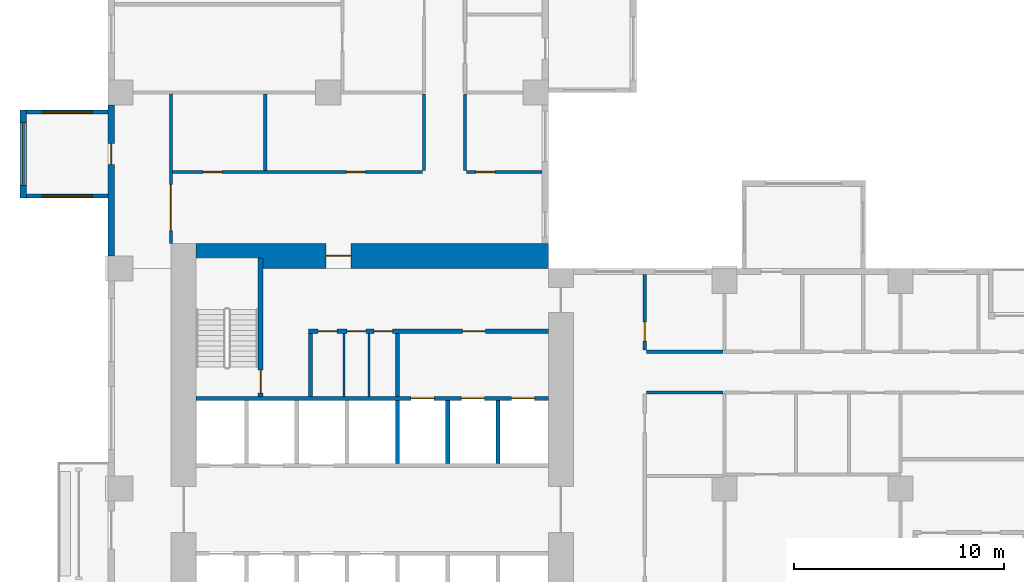
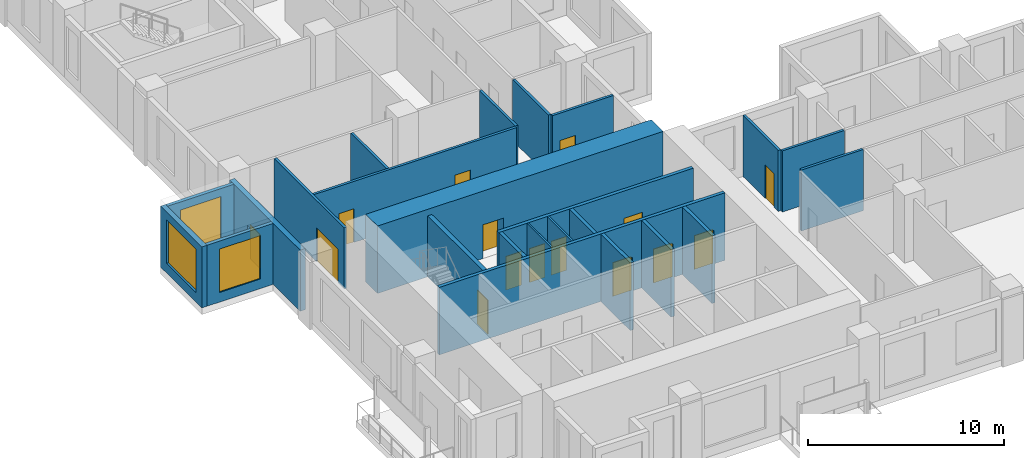
# One storey, part 3 of 14: 24 walls, 15 doors, 3 windows, 18 openings.
"""IFC4 building model written with IfcOpenShell, lengths in metres."""

from ifc_helpers import new_model, si_unit, direction, frame, frame_2d, origin, place, context, subcontext, project, spatial, rectangle, extrude, source, transform, mapped, material, layer, layer_set, type_object, element, fill, save


model = new_model("IFC4")

# Units and contexts
model_context = context("Model", 3, precision=1e-05, world=origin(), true_north=direction((0.0, 1.0)))
body_context = subcontext(model_context, "Body", "Model", "MODEL_VIEW")
ifc_project = project(units=[si_unit("LENGTHUNIT", "METRE"), si_unit("AREAUNIT", "SQUARE_METRE"), si_unit("VOLUMEUNIT", "CUBIC_METRE"), si_unit("PLANEANGLEUNIT", "RADIAN"), si_unit("MASSUNIT", "GRAM", prefix="KILO")], contexts=[model_context])

# Site, building, storey
site_placement = place(None, origin())
site = spatial("IfcSite", under=ifc_project, at=site_placement, CompositionType="ELEMENT")
building_placement = place(site_placement, origin())
building = spatial("IfcBuilding", under=site, at=building_placement, Name="Aurelian Terraces", CompositionType="ELEMENT")
storey_placement = place(building_placement, frame((0.0, 0.0, 90.9)))
storey = spatial("IfcBuildingStorey", under=building, at=storey_placement, Name="L19", CompositionType="ELEMENT", Elevation=90.9)

# Wall, opening, door
ifc_material_1 = material(Name="Concrete fc' 83 MPa", Category="concrete")
ifc_layer_1 = layer(ifc_material_1, 1.2)
ifc_layer_set_1 = layer_set([ifc_layer_1], Name="CORE WALL 1200 FC83")
wall_type_1 = type_object("IfcWallType", Name="CORE WALL 1200 FC83", PredefinedType="SHEAR", material=ifc_layer_set_1)
shared_shape_1 = source(origin(), body_context, "Body", "SweptSolid", [
    extrude(rectangle(XDim=16.8, YDim=1.2, at=frame_2d((8.4, 0.0))), origin(), (0.0, 0.0, 1.0), 4.2),
])
wall_1_placement = place(storey_placement, frame((4.2, 21.6, 0.0), z_axis=(0.0, 0.0, 1.0), x_axis=(1.0, 0.0, 0.0)))
wall_1 = element("IfcWall", 1, at=wall_1_placement, inside=storey, type_object=wall_type_1, Name="Core wall N L19", PredefinedType="SHEAR", context=body_context, shape_type="MappedRepresentation", body=[
    mapped(shared_shape_1, transform((0.0, 0.0, 0.0), scale=1.0)),
])
shared_shape_2 = source(origin(), body_context, "Body", "SweptSolid", [
    extrude(rectangle(XDim=1.2, YDim=2.1, at=frame_2d((0.6, 1.05))), frame((0.0, 0.61, 0.0), z_axis=(0.0, -1.0, 0.0), x_axis=(1.0, 0.0, 0.0)), (0.0, 0.0, 1.0), 1.22),
])
opening_1_placement = place(wall_1_placement, frame((6.2, 0.0, 0.0)))
opening_1 = element("IfcOpeningElement", 2, at=opening_1_placement, cuts=wall_1, Name="Opening 62223", PredefinedType="OPENING", context=body_context, shape_type="MappedRepresentation", body=[
    mapped(shared_shape_2, transform((0.0, 0.0, 0.0), scale=1.0)),
])
ifc_material_2 = material(Name="Steel door leaf", Category="steel")
door_type_1 = type_object("IfcDoorType", Name="Core fire door 1200x2100", OperationType="SINGLE_SWING_LEFT", PredefinedType="DOOR", material=ifc_material_2)
shared_shape_3 = source(origin(), body_context, "Body", "SweptSolid", [
    extrude(rectangle(XDim=1.2, YDim=2.1, at=frame_2d((0.6, 1.05))), frame((0.0, 0.025, 0.0), z_axis=(0.0, -1.0, 0.0), x_axis=(1.0, 0.0, 0.0)), (0.0, 0.0, 1.0), 0.05),
])
door_1_placement = place(opening_1_placement, origin())
door_1 = element("IfcDoor", 3, at=door_1_placement, inside=storey, type_object=door_type_1, Name="Core door 62223", OperationType="SINGLE_SWING_LEFT", OverallHeight=2.1, OverallWidth=1.2, PredefinedType="DOOR", context=body_context, shape_type="MappedRepresentation", body=[
    mapped(shared_shape_3, transform((0.0, 0.0, 0.0), scale=1.0)),
])
fill(opening_1, door_1)

ifc_material_3 = material(Name="Terracotta rainscreen cladding", Category="masonry")
ifc_layer_2 = layer(ifc_material_3, 0.3)
ifc_layer_set_2 = layer_set([ifc_layer_2], Name="EW-300")
wall_type_2 = type_object("IfcWallType", Name="EW-300", PredefinedType="STANDARD", material=ifc_layer_set_2)
shared_shape_4 = source(origin(), body_context, "Body", "SweptSolid", [
    extrude(rectangle(XDim=7.2, YDim=0.3, at=frame_2d((3.6, 0.0))), origin(), (0.0, 0.0, 1.0), 3.8),
])
wall_2_placement = place(storey_placement, frame((0.15, 28.8, 0.0), z_axis=(0.0, 0.0, 1.0), x_axis=(0.0, -1.0, 0.0)))
wall_2 = element("IfcWall", 4, at=wall_2_placement, inside=storey, type_object=wall_type_2, Name="External wall L19 F14.35", PredefinedType="STANDARD", context=body_context, shape_type="MappedRepresentation", body=[
    mapped(shared_shape_4, transform((0.0, 0.0, 0.0), scale=1.0)),
])
shared_shape_5 = source(origin(), body_context, "Body", "SweptSolid", [
    extrude(rectangle(XDim=1.0, YDim=2.1, at=frame_2d((0.5, 1.05))), frame((0.0, 0.16, 0.0), z_axis=(0.0, -1.0, 0.0), x_axis=(1.0, 0.0, 0.0)), (0.0, 0.0, 1.0), 0.32),
])
opening_2_placement = place(wall_2_placement, frame((1.84, 0.0, 0.0)))
opening_2 = element("IfcOpeningElement", 5, at=opening_2_placement, cuts=wall_2, Name="Opening 819002", PredefinedType="OPENING", context=body_context, shape_type="MappedRepresentation", body=[
    mapped(shared_shape_5, transform((0.0, 0.0, 0.0), scale=1.0)),
])
ifc_material_4 = material(Name="Timber door leaf", Category="wood")
door_type_2 = type_object("IfcDoorType", Name="Room door 1000x2100 left", OperationType="SINGLE_SWING_LEFT", PredefinedType="DOOR", material=ifc_material_4)
shared_shape_6 = source(origin(), body_context, "Body", "SweptSolid", [
    extrude(rectangle(XDim=1.0, YDim=2.1, at=frame_2d((0.5, 1.05))), frame((0.0, 0.025, 0.0), z_axis=(0.0, -1.0, 0.0), x_axis=(1.0, 0.0, 0.0)), (0.0, 0.0, 1.0), 0.05),
])
door_2_placement = place(opening_2_placement, origin())
door_2 = element("IfcDoor", 6, at=door_2_placement, inside=storey, type_object=door_type_2, Name="Door 819002", OperationType="SINGLE_SWING_LEFT", OverallHeight=2.1, OverallWidth=1.0, PredefinedType="DOOR", context=body_context, shape_type="MappedRepresentation", body=[
    mapped(shared_shape_6, transform((0.0, 0.0, 0.0), scale=1.0)),
])
fill(opening_2, door_2)

# Wall, opening, window
ifc_material_5 = material(Name="Concrete fc' 40 MPa", Category="concrete")
ifc_layer_3 = layer(ifc_material_5, 0.2)
ifc_layer_set_3 = layer_set([ifc_layer_3], Name="BOX BEARING WALL 200")
wall_type_3 = type_object("IfcWallType", Name="BOX BEARING WALL 200", PredefinedType="SOLIDWALL", material=ifc_layer_set_3)
shared_shape_7 = source(origin(), body_context, "Body", "SweptSolid", [
    extrude(rectangle(XDim=3.9, YDim=0.2, at=frame_2d((1.95, 0.0))), origin(), (0.0, 0.0, 1.0), 3.8),
])
wall_3_placement = place(storey_placement, frame((0.0, 28.46, 0.0), z_axis=(0.0, 0.0, 1.0), x_axis=(-1.0, 0.0, 0.0)))
wall_3 = element("IfcWall", 7, at=wall_3_placement, inside=storey, type_object=wall_type_3, Name="Box return L19 J24.1", PredefinedType="SOLIDWALL", context=body_context, shape_type="MappedRepresentation", body=[
    mapped(shared_shape_7, transform((0.0, 0.0, 0.0), scale=1.0)),
])
shared_shape_8 = source(origin(), body_context, "Body", "SweptSolid", [
    extrude(rectangle(XDim=2.4, YDim=2.7, at=frame_2d((1.2, 1.35))), frame((0.0, 0.11, 0.0), z_axis=(0.0, -1.0, 0.0), x_axis=(1.0, 0.0, 0.0)), (0.0, 0.0, 1.0), 0.22),
])
opening_3_placement = place(wall_3_placement, frame((0.75, 0.0, 0.6)))
opening_3 = element("IfcOpeningElement", 8, at=opening_3_placement, cuts=wall_3, Name="Opening W2427", PredefinedType="OPENING", context=body_context, shape_type="MappedRepresentation", body=[
    mapped(shared_shape_8, transform((0.0, 0.0, 0.0), scale=1.0)),
])
ifc_material_6 = material(Name="Clear glazing", Category="glass")
window_type_1 = type_object("IfcWindowType", Name="W-2400x2700", PartitioningType="SINGLE_PANEL", PredefinedType="WINDOW", material=ifc_material_6)
shared_shape_9 = source(origin(), body_context, "Body", "SweptSolid", [
    extrude(rectangle(XDim=2.4, YDim=2.7, at=frame_2d((1.2, 1.35))), frame((0.0, 0.03, 0.0), z_axis=(0.0, -1.0, 0.0), x_axis=(1.0, 0.0, 0.0)), (0.0, 0.0, 1.0), 0.06),
])
window_1_placement = place(opening_3_placement, origin())
window_1 = element("IfcWindow", 9, at=window_1_placement, inside=storey, type_object=window_type_1, Name="Window L19 J24-S1", OverallHeight=2.7, OverallWidth=2.4, PartitioningType="SINGLE_PANEL", PredefinedType="WINDOW", context=body_context, shape_type="MappedRepresentation", body=[
    mapped(shared_shape_9, transform((0.0, 0.0, 0.0), scale=1.0)),
])
fill(opening_3, window_1)

wall_4_placement = place(storey_placement, frame((0.0, 24.46, 0.0), z_axis=(0.0, 0.0, 1.0), x_axis=(-1.0, 0.0, 0.0)))
wall_4 = element("IfcWall", 10, at=wall_4_placement, inside=storey, type_object=wall_type_3, Name="Box return L19 J24.2", PredefinedType="SOLIDWALL", context=body_context, shape_type="MappedRepresentation", body=[
    mapped(shared_shape_7, transform((0.0, 0.0, 0.0), scale=1.0)),
])
opening_4_placement = place(wall_4_placement, frame((0.75, 0.0, 0.6)))
opening_4 = element("IfcOpeningElement", 11, at=opening_4_placement, cuts=wall_4, Name="Opening W2427", PredefinedType="OPENING", context=body_context, shape_type="MappedRepresentation", body=[
    mapped(shared_shape_8, transform((0.0, 0.0, 0.0), scale=1.0)),
])
window_2_placement = place(opening_4_placement, origin())
window_2 = element("IfcWindow", 12, at=window_2_placement, inside=storey, type_object=window_type_1, Name="Window L19 J24-S2", OverallHeight=2.7, OverallWidth=2.4, PartitioningType="SINGLE_PANEL", PredefinedType="WINDOW", context=body_context, shape_type="MappedRepresentation", body=[
    mapped(shared_shape_9, transform((0.0, 0.0, 0.0), scale=1.0)),
])
fill(opening_4, window_2)

ifc_layer_4 = layer(ifc_material_5, 0.3)
ifc_layer_set_4 = layer_set([ifc_layer_4], Name="BOX BEARING WALL 300")
wall_type_4 = type_object("IfcWallType", Name="BOX BEARING WALL 300", PredefinedType="SOLIDWALL", material=ifc_layer_set_4)
shared_shape_10 = source(origin(), body_context, "Body", "SweptSolid", [
    extrude(rectangle(XDim=4.2, YDim=0.3, at=frame_2d((2.1, 0.0))), origin(), (0.0, 0.0, 1.0), 3.8),
])
wall_5_placement = place(storey_placement, frame((-4.05, 28.56, 0.0), z_axis=(0.0, 0.0, 1.0), x_axis=(0.0, -1.0, 0.0)))
wall_5 = element("IfcWall", 13, at=wall_5_placement, inside=storey, type_object=wall_type_4, Name="Box wall L19 J24", PredefinedType="SOLIDWALL", context=body_context, shape_type="MappedRepresentation", body=[
    mapped(shared_shape_10, transform((0.0, 0.0, 0.0), scale=1.0)),
])
shared_shape_11 = source(origin(), body_context, "Body", "SweptSolid", [
    extrude(rectangle(XDim=3.0, YDim=2.7, at=frame_2d((1.5, 1.35))), frame((0.0, 0.16, 0.0), z_axis=(0.0, -1.0, 0.0), x_axis=(1.0, 0.0, 0.0)), (0.0, 0.0, 1.0), 0.32),
])
opening_5_placement = place(wall_5_placement, frame((0.6, 0.0, 0.6)))
opening_5 = element("IfcOpeningElement", 14, at=opening_5_placement, cuts=wall_5, Name="Opening W3027", PredefinedType="OPENING", context=body_context, shape_type="MappedRepresentation", body=[
    mapped(shared_shape_11, transform((0.0, 0.0, 0.0), scale=1.0)),
])
window_type_2 = type_object("IfcWindowType", Name="W-3000x2700", PartitioningType="SINGLE_PANEL", PredefinedType="WINDOW", material=ifc_material_6)
shared_shape_12 = source(origin(), body_context, "Body", "SweptSolid", [
    extrude(rectangle(XDim=3.0, YDim=2.7, at=frame_2d((1.5, 1.35))), frame((0.0, 0.03, 0.0), z_axis=(0.0, -1.0, 0.0), x_axis=(1.0, 0.0, 0.0)), (0.0, 0.0, 1.0), 0.06),
])
window_3_placement = place(opening_5_placement, origin())
window_3 = element("IfcWindow", 15, at=window_3_placement, inside=storey, type_object=window_type_2, Name="Window L19 J24-F1", OverallHeight=2.7, OverallWidth=3.0, PartitioningType="SINGLE_PANEL", PredefinedType="WINDOW", context=body_context, shape_type="MappedRepresentation", body=[
    mapped(shared_shape_12, transform((0.0, 0.0, 0.0), scale=1.0)),
])
fill(opening_5, window_3)

# Walls
ifc_layer_5 = layer(ifc_material_5, 0.2)
ifc_layer_set_5 = layer_set([ifc_layer_5], Name="Lift shaft wall 200")
wall_type_5 = type_object("IfcWallType", Name="Lift shaft wall 200", PredefinedType="SOLIDWALL", material=ifc_layer_set_5)
shared_shape_13 = source(origin(), body_context, "Body", "SweptSolid", [
    extrude(rectangle(XDim=3.0, YDim=0.2, at=frame_2d((1.5, 0.0))), origin(), (0.0, 0.0, 1.0), 4.2),
])
for number, where, z_axis, x_axis, name in (
    (16, (13.8, 11.7, 0.0), (0.0, 0.0, 1.0), (0.0, 1.0, 0.0), "L19 core wall CD-B4"),
    (17, (16.2, 11.7, 0.0), (0.0, 0.0, 1.0), (0.0, 1.0, 0.0), "L19 core wall CD-B5"),
    (18, (18.6, 11.7, 0.0), (0.0, 0.0, 1.0), (0.0, 1.0, 0.0), "L19 core wall CD-B6"),
):
    element("IfcWall", number, at=place(storey_placement, frame(where, z_axis=z_axis, x_axis=x_axis)), inside=storey, type_object=wall_type_5, Name=name, PredefinedType="SOLIDWALL", context=body_context, shape_type="MappedRepresentation", body=[
        mapped(shared_shape_13, transform((0.0, 0.0, 0.0), scale=1.0)),
    ])

# Wall, openings, doors
shared_shape_14 = source(origin(), body_context, "Body", "SweptSolid", [
    extrude(rectangle(XDim=16.8, YDim=0.2, at=frame_2d((8.4, 0.0))), origin(), (0.0, 0.0, 1.0), 4.2),
])
wall_6_placement = place(storey_placement, frame((4.2, 14.8, 0.0), z_axis=(0.0, 0.0, 1.0), x_axis=(1.0, 0.0, 0.0)))
wall_6 = element("IfcWall", 19, at=wall_6_placement, inside=storey, type_object=wall_type_5, Name="L19 core wall CF-BB1", PredefinedType="SOLIDWALL", context=body_context, shape_type="MappedRepresentation", body=[
    mapped(shared_shape_14, transform((0.0, 0.0, 0.0), scale=1.0)),
])
shared_shape_15 = source(origin(), body_context, "Body", "SweptSolid", [
    extrude(rectangle(XDim=1.1, YDim=2.1, at=frame_2d((0.55, 1.05))), frame((0.0, 0.11, 0.0), z_axis=(0.0, -1.0, 0.0), x_axis=(1.0, 0.0, 0.0)), (0.0, 0.0, 1.0), 0.22),
])
opening_6_placement = place(wall_6_placement, frame((10.25, 0.0, 0.0)))
opening_6 = element("IfcOpeningElement", 20, at=opening_6_placement, cuts=wall_6, Name="Opening 62207", PredefinedType="OPENING", context=body_context, shape_type="MappedRepresentation", body=[
    mapped(shared_shape_15, transform((0.0, 0.0, 0.0), scale=1.0)),
])
opening_7_placement = place(wall_6_placement, frame((12.65, 0.0, 0.0)))
opening_7 = element("IfcOpeningElement", 21, at=opening_7_placement, cuts=wall_6, Name="Opening 62208", PredefinedType="OPENING", context=body_context, shape_type="MappedRepresentation", body=[
    mapped(shared_shape_15, transform((0.0, 0.0, 0.0), scale=1.0)),
])
opening_8_placement = place(wall_6_placement, frame((15.05, 0.0, 0.0)))
opening_8 = element("IfcOpeningElement", 22, at=opening_8_placement, cuts=wall_6, Name="Opening 62209", PredefinedType="OPENING", context=body_context, shape_type="MappedRepresentation", body=[
    mapped(shared_shape_15, transform((0.0, 0.0, 0.0), scale=1.0)),
])
ifc_material_7 = material(Name="Stainless steel", Category="steel")
door_type_3 = type_object("IfcDoorType", Name="Lift landing door 1100x2100", OperationType="SLIDING_TO_LEFT", PredefinedType="DOOR", material=ifc_material_7)
shared_shape_16 = source(origin(), body_context, "Body", "SweptSolid", [
    extrude(rectangle(XDim=1.1, YDim=2.1, at=frame_2d((0.55, 1.05))), frame((0.0, 0.025, 0.0), z_axis=(0.0, -1.0, 0.0), x_axis=(1.0, 0.0, 0.0)), (0.0, 0.0, 1.0), 0.05),
])
door_3_placement = place(opening_6_placement, origin())
door_3 = element("IfcDoor", 23, at=door_3_placement, inside=storey, type_object=door_type_3, Name="Lift landing door F1 L19", OperationType="SLIDING_TO_LEFT", OverallHeight=2.1, OverallWidth=1.1, PredefinedType="DOOR", context=body_context, shape_type="MappedRepresentation", body=[
    mapped(shared_shape_16, transform((0.0, 0.0, 0.0), scale=1.0)),
])
fill(opening_6, door_3)
door_4_placement = place(opening_7_placement, origin())
door_4 = element("IfcDoor", 24, at=door_4_placement, inside=storey, type_object=door_type_3, Name="Lift landing door F2 L19", OperationType="SLIDING_TO_LEFT", OverallHeight=2.1, OverallWidth=1.1, PredefinedType="DOOR", context=body_context, shape_type="MappedRepresentation", body=[
    mapped(shared_shape_16, transform((0.0, 0.0, 0.0), scale=1.0)),
])
fill(opening_7, door_4)
door_5_placement = place(opening_8_placement, origin())
door_5 = element("IfcDoor", 25, at=door_5_placement, inside=storey, type_object=door_type_3, Name="Lift landing door F3 L19", OperationType="SLIDING_TO_LEFT", OverallHeight=2.1, OverallWidth=1.1, PredefinedType="DOOR", context=body_context, shape_type="MappedRepresentation", body=[
    mapped(shared_shape_16, transform((0.0, 0.0, 0.0), scale=1.0)),
])
fill(opening_8, door_5)

# Walls
ifc_material_8 = material(Name="Gypsum board on steel studs", Category="steel")
ifc_layer_6 = layer(ifc_material_8, 0.2)
ifc_layer_set_6 = layer_set([ifc_layer_6], Name="Core partition 200")
wall_type_6 = type_object("IfcWallType", Name="Core partition 200", PredefinedType="PARTITIONING", material=ifc_layer_set_6)
shared_shape_17 = source(origin(), body_context, "Body", "SweptSolid", [
    extrude(rectangle(XDim=3.0, YDim=0.2, at=frame_2d((1.5, 0.0))), origin(), (0.0, 0.0, 1.0), 3.8),
])
for number, where, z_axis, x_axis, name in (
    (26, (9.65, 14.9, 0.0), (0.0, 0.0, 1.0), (0.0, 1.0, 0.0), "L19 core wall CP-VEST"),
    (27, (13.8, 14.9, 0.0), (0.0, 0.0, 1.0), (0.0, 1.0, 0.0), "L19 core wall CP-FFL"),
):
    element("IfcWall", number, at=place(storey_placement, frame(where, z_axis=z_axis, x_axis=x_axis)), inside=storey, type_object=wall_type_6, Name=name, PredefinedType="PARTITIONING", context=body_context, shape_type="MappedRepresentation", body=[
        mapped(shared_shape_17, transform((0.0, 0.0, 0.0), scale=1.0)),
    ])
ifc_layer_7 = layer(ifc_material_8, 0.1)
ifc_layer_set_7 = layer_set([ifc_layer_7], Name="Core partition 100")
wall_type_7 = type_object("IfcWallType", Name="Core partition 100", PredefinedType="PARTITIONING", material=ifc_layer_set_7)
shared_shape_18 = source(origin(), body_context, "Body", "SweptSolid", [
    extrude(rectangle(XDim=3.0, YDim=0.1, at=frame_2d((1.5, 0.0))), origin(), (0.0, 0.0, 1.0), 3.8),
])
for number, where, z_axis, x_axis, name in (
    (28, (11.25, 14.9, 0.0), (0.0, 0.0, 1.0), (0.0, 1.0, 0.0), "L19 core wall CP-SV1"),
    (29, (12.45, 14.9, 0.0), (0.0, 0.0, 1.0), (0.0, 1.0, 0.0), "L19 core wall CP-SV2"),
):
    element("IfcWall", number, at=place(storey_placement, frame(where, z_axis=z_axis, x_axis=x_axis)), inside=storey, type_object=wall_type_7, Name=name, PredefinedType="PARTITIONING", context=body_context, shape_type="MappedRepresentation", body=[
        mapped(shared_shape_18, transform((0.0, 0.0, 0.0), scale=1.0)),
    ])

# Wall, opening, door
ifc_layer_8 = layer(ifc_material_5, 0.25)
ifc_layer_set_8 = layer_set([ifc_layer_8], Name="Stair enclosure wall 250")
wall_type_8 = type_object("IfcWallType", Name="Stair enclosure wall 250", PredefinedType="SOLIDWALL", material=ifc_layer_set_8)
shared_shape_19 = source(origin(), body_context, "Body", "SweptSolid", [
    extrude(rectangle(XDim=6.6, YDim=0.25, at=frame_2d((3.3, 0.0))), origin(), (0.0, 0.0, 1.0), 3.8),
])
wall_7_placement = place(storey_placement, frame((7.275, 14.9, 0.0), z_axis=(0.0, 0.0, 1.0), x_axis=(0.0, 1.0, 0.0)))
wall_7 = element("IfcWall", 30, at=wall_7_placement, inside=storey, type_object=wall_type_8, Name="L19 core wall ST-S1-E", PredefinedType="SOLIDWALL", context=body_context, shape_type="MappedRepresentation", body=[
    mapped(shared_shape_19, transform((0.0, 0.0, 0.0), scale=1.0)),
])
shared_shape_20 = source(origin(), body_context, "Body", "SweptSolid", [
    extrude(rectangle(XDim=1.1, YDim=2.1, at=frame_2d((0.55, 1.05))), frame((0.0, 0.135, 0.0), z_axis=(0.0, -1.0, 0.0), x_axis=(1.0, 0.0, 0.0)), (0.0, 0.0, 1.0), 0.27),
])
opening_9_placement = place(wall_7_placement, frame((0.15, 0.0, 0.0)))
opening_9 = element("IfcOpeningElement", 31, at=opening_9_placement, cuts=wall_7, Name="Opening 62210", PredefinedType="OPENING", context=body_context, shape_type="MappedRepresentation", body=[
    mapped(shared_shape_20, transform((0.0, 0.0, 0.0), scale=1.0)),
])
door_type_4 = type_object("IfcDoorType", Name="Core fire door 1100x2100", OperationType="SINGLE_SWING_LEFT", PredefinedType="DOOR", material=ifc_material_2)
door_6_placement = place(opening_9_placement, origin())
door_6 = element("IfcDoor", 32, at=door_6_placement, inside=storey, type_object=door_type_4, Name="Stair door 62210", OperationType="SINGLE_SWING_LEFT", OverallHeight=2.1, OverallWidth=1.1, PredefinedType="DOOR", context=body_context, shape_type="MappedRepresentation", body=[
    mapped(shared_shape_16, transform((0.0, 0.0, 0.0), scale=1.0)),
])
fill(opening_9, door_6)

# Wall, openings, doors
shared_shape_21 = source(origin(), body_context, "Body", "SweptSolid", [
    extrude(rectangle(XDim=11.45, YDim=0.2, at=frame_2d((5.725, 0.0))), origin(), (0.0, 0.0, 1.0), 3.8),
])
wall_8_placement = place(storey_placement, frame((9.55, 18.0, 0.0), z_axis=(0.0, 0.0, 1.0), x_axis=(1.0, 0.0, 0.0)))
wall_8 = element("IfcWall", 33, at=wall_8_placement, inside=storey, type_object=wall_type_6, Name="L19 core wall CP-NORTH", PredefinedType="PARTITIONING", context=body_context, shape_type="MappedRepresentation", body=[
    mapped(shared_shape_21, transform((0.0, 0.0, 0.0), scale=1.0)),
])
shared_shape_22 = source(origin(), body_context, "Body", "SweptSolid", [
    extrude(rectangle(XDim=0.9, YDim=2.1, at=frame_2d((0.45, 1.05))), frame((0.0, 0.11, 0.0), z_axis=(0.0, -1.0, 0.0), x_axis=(1.0, 0.0, 0.0)), (0.0, 0.0, 1.0), 0.22),
])
opening_10_placement = place(wall_8_placement, frame((0.475, 0.0, 0.0)))
opening_10 = element("IfcOpeningElement", 34, at=opening_10_placement, cuts=wall_8, Name="Opening 62211", PredefinedType="OPENING", context=body_context, shape_type="MappedRepresentation", body=[
    mapped(shared_shape_22, transform((0.0, 0.0, 0.0), scale=1.0)),
])
opening_11_placement = place(wall_8_placement, frame((1.85, 0.0, 0.0)))
opening_11 = element("IfcOpeningElement", 35, at=opening_11_placement, cuts=wall_8, Name="Opening 62212", PredefinedType="OPENING", context=body_context, shape_type="MappedRepresentation", body=[
    mapped(shared_shape_22, transform((0.0, 0.0, 0.0), scale=1.0)),
])
opening_12_placement = place(wall_8_placement, frame((3.125, 0.0, 0.0)))
opening_12 = element("IfcOpeningElement", 36, at=opening_12_placement, cuts=wall_8, Name="Opening 62213", PredefinedType="OPENING", context=body_context, shape_type="MappedRepresentation", body=[
    mapped(shared_shape_22, transform((0.0, 0.0, 0.0), scale=1.0)),
])
opening_13_placement = place(wall_8_placement, frame((7.35, 0.0, 0.0)))
opening_13 = element("IfcOpeningElement", 37, at=opening_13_placement, cuts=wall_8, Name="Opening 62214", PredefinedType="OPENING", context=body_context, shape_type="MappedRepresentation", body=[
    mapped(shared_shape_15, transform((0.0, 0.0, 0.0), scale=1.0)),
])
door_type_5 = type_object("IfcDoorType", Name="Core service door 900x2100 right", OperationType="SINGLE_SWING_RIGHT", PredefinedType="DOOR", material=ifc_material_2)
shared_shape_23 = source(origin(), body_context, "Body", "SweptSolid", [
    extrude(rectangle(XDim=0.9, YDim=2.1, at=frame_2d((0.45, 1.05))), frame((0.0, 0.025, 0.0), z_axis=(0.0, -1.0, 0.0), x_axis=(1.0, 0.0, 0.0)), (0.0, 0.0, 1.0), 0.05),
])
door_7_placement = place(opening_10_placement, origin())
door_7 = element("IfcDoor", 38, at=door_7_placement, inside=storey, type_object=door_type_5, Name="Room door 62211", OperationType="SINGLE_SWING_RIGHT", OverallHeight=2.1, OverallWidth=0.9, PredefinedType="DOOR", context=body_context, shape_type="MappedRepresentation", body=[
    mapped(shared_shape_23, transform((0.0, 0.0, 0.0), scale=1.0)),
])
fill(opening_10, door_7)
door_type_6 = type_object("IfcDoorType", Name="Core riser door 900x2100", OperationType="SINGLE_SWING_LEFT", PredefinedType="DOOR", material=ifc_material_2)
door_8_placement = place(opening_11_placement, origin())
door_8 = element("IfcDoor", 39, at=door_8_placement, inside=storey, type_object=door_type_6, Name="Room door 62212", OperationType="SINGLE_SWING_LEFT", OverallHeight=2.1, OverallWidth=0.9, PredefinedType="DOOR", context=body_context, shape_type="MappedRepresentation", body=[
    mapped(shared_shape_23, transform((0.0, 0.0, 0.0), scale=1.0)),
])
fill(opening_11, door_8)
door_9_placement = place(opening_12_placement, origin())
door_9 = element("IfcDoor", 40, at=door_9_placement, inside=storey, type_object=door_type_5, Name="Room door 62213", OperationType="SINGLE_SWING_RIGHT", OverallHeight=2.1, OverallWidth=0.9, PredefinedType="DOOR", context=body_context, shape_type="MappedRepresentation", body=[
    mapped(shared_shape_23, transform((0.0, 0.0, 0.0), scale=1.0)),
])
fill(opening_12, door_9)
door_10_placement = place(opening_13_placement, origin())
door_10 = element("IfcDoor", 41, at=door_10_placement, inside=storey, type_object=door_type_4, Name="Ff lobby door 62214", OperationType="SINGLE_SWING_LEFT", OverallHeight=2.1, OverallWidth=1.1, PredefinedType="DOOR", context=body_context, shape_type="MappedRepresentation", body=[
    mapped(shared_shape_16, transform((0.0, 0.0, 0.0), scale=1.0)),
])
fill(opening_13, door_10)

# Wall, opening, door
ifc_layer_9 = layer(ifc_material_8, 0.15)
ifc_layer_set_9 = layer_set([ifc_layer_9], Name="Partition 150")
wall_type_9 = type_object("IfcWallType", Name="Partition 150", PredefinedType="PARTITIONING", material=ifc_layer_set_9)
shared_shape_24 = source(origin(), body_context, "Body", "SweptSolid", [
    extrude(rectangle(XDim=3.6, YDim=0.15, at=frame_2d((1.8, 0.0))), origin(), (0.0, 0.0, 1.0), 3.8),
])
wall_9_placement = place(storey_placement, frame((25.6, 20.7, 0.0), z_axis=(0.0, 0.0, 1.0), x_axis=(0.0, -1.0, 0.0)))
wall_9 = element("IfcWall", 42, at=wall_9_placement, inside=storey, type_object=wall_type_9, Name="Partition", PredefinedType="PARTITIONING", context=body_context, shape_type="MappedRepresentation", body=[
    mapped(shared_shape_24, transform((0.0, 0.0, 0.0), scale=1.0)),
])
shared_shape_25 = source(origin(), body_context, "Body", "SweptSolid", [
    extrude(rectangle(XDim=0.9, YDim=2.1, at=frame_2d((0.45, 1.05))), frame((0.0, 0.085, 0.0), z_axis=(0.0, -1.0, 0.0), x_axis=(1.0, 0.0, 0.0)), (0.0, 0.0, 1.0), 0.17),
])
opening_14_placement = place(wall_9_placement, frame((2.25, 0.0, 0.0)))
opening_14 = element("IfcOpeningElement", 43, at=opening_14_placement, cuts=wall_9, Name="Opening 719003", PredefinedType="OPENING", context=body_context, shape_type="MappedRepresentation", body=[
    mapped(shared_shape_25, transform((0.0, 0.0, 0.0), scale=1.0)),
])
door_type_7 = type_object("IfcDoorType", Name="Room door 900x2100 left", OperationType="SINGLE_SWING_LEFT", PredefinedType="DOOR", material=ifc_material_4)
door_11_placement = place(opening_14_placement, origin())
door_11 = element("IfcDoor", 44, at=door_11_placement, inside=storey, type_object=door_type_7, Name="Door 719003", OperationType="SINGLE_SWING_LEFT", OverallHeight=2.1, OverallWidth=0.9, PredefinedType="DOOR", context=body_context, shape_type="MappedRepresentation", body=[
    mapped(shared_shape_23, transform((0.0, 0.0, 0.0), scale=1.0)),
])
fill(opening_14, door_11)

wall_10_placement = place(storey_placement, frame((17.1, 25.6, 0.0), z_axis=(0.0, 0.0, 1.0), x_axis=(1.0, 0.0, 0.0)))
wall_10 = element("IfcWall", 45, at=wall_10_placement, inside=storey, type_object=wall_type_9, Name="Partition", PredefinedType="PARTITIONING", context=body_context, shape_type="MappedRepresentation", body=[
    mapped(shared_shape_24, transform((0.0, 0.0, 0.0), scale=1.0)),
])
opening_15_placement = place(wall_10_placement, frame((0.45, 0.0, 0.0)))
opening_15 = element("IfcOpeningElement", 46, at=opening_15_placement, cuts=wall_10, Name="Opening 719029", PredefinedType="OPENING", context=body_context, shape_type="MappedRepresentation", body=[
    mapped(shared_shape_25, transform((0.0, 0.0, 0.0), scale=1.0)),
])
door_12_placement = place(opening_15_placement, origin())
door_12 = element("IfcDoor", 47, at=door_12_placement, inside=storey, type_object=door_type_7, Name="Door 719029", OperationType="SINGLE_SWING_LEFT", OverallHeight=2.1, OverallWidth=0.9, PredefinedType="DOOR", context=body_context, shape_type="MappedRepresentation", body=[
    mapped(shared_shape_23, transform((0.0, 0.0, 0.0), scale=1.0)),
])
fill(opening_15, door_12)

# Wall, openings, doors
shared_shape_26 = source(origin(), body_context, "Body", "SweptSolid", [
    extrude(rectangle(XDim=11.925, YDim=0.15, at=frame_2d((5.9625, 0.0))), origin(), (0.0, 0.0, 1.0), 3.8),
])
wall_11_placement = place(storey_placement, frame((3.075, 25.6, 0.0), z_axis=(0.0, 0.0, 1.0), x_axis=(1.0, 0.0, 0.0)))
wall_11 = element("IfcWall", 48, at=wall_11_placement, inside=storey, type_object=wall_type_9, Name="Partition", PredefinedType="PARTITIONING", context=body_context, shape_type="MappedRepresentation", body=[
    mapped(shared_shape_26, transform((0.0, 0.0, 0.0), scale=1.0)),
])
opening_16_placement = place(wall_11_placement, frame((1.4625, 0.0, 0.0)))
opening_16 = element("IfcOpeningElement", 49, at=opening_16_placement, cuts=wall_11, Name="Opening 719027", PredefinedType="OPENING", context=body_context, shape_type="MappedRepresentation", body=[
    mapped(shared_shape_25, transform((0.0, 0.0, 0.0), scale=1.0)),
])
opening_17_placement = place(wall_11_placement, frame((8.3, 0.0, 0.0)))
opening_17 = element("IfcOpeningElement", 50, at=opening_17_placement, cuts=wall_11, Name="Opening 719028", PredefinedType="OPENING", context=body_context, shape_type="MappedRepresentation", body=[
    mapped(shared_shape_25, transform((0.0, 0.0, 0.0), scale=1.0)),
])
door_13_placement = place(opening_16_placement, origin())
door_13 = element("IfcDoor", 51, at=door_13_placement, inside=storey, type_object=door_type_7, Name="Door 719027", OperationType="SINGLE_SWING_LEFT", OverallHeight=2.1, OverallWidth=0.9, PredefinedType="DOOR", context=body_context, shape_type="MappedRepresentation", body=[
    mapped(shared_shape_23, transform((0.0, 0.0, 0.0), scale=1.0)),
])
fill(opening_16, door_13)
door_type_8 = type_object("IfcDoorType", Name="Room door 900x2100 right", OperationType="SINGLE_SWING_RIGHT", PredefinedType="DOOR", material=ifc_material_4)
door_14_placement = place(opening_17_placement, origin())
door_14 = element("IfcDoor", 52, at=door_14_placement, inside=storey, type_object=door_type_8, Name="Door 719028", OperationType="SINGLE_SWING_RIGHT", OverallHeight=2.1, OverallWidth=0.9, PredefinedType="DOOR", context=body_context, shape_type="MappedRepresentation", body=[
    mapped(shared_shape_23, transform((0.0, 0.0, 0.0), scale=1.0)),
])
fill(opening_17, door_14)

# Wall, opening, door
shared_shape_27 = source(origin(), body_context, "Body", "SweptSolid", [
    extrude(rectangle(XDim=7.125, YDim=0.15, at=frame_2d((3.5625, 0.0))), origin(), (0.0, 0.0, 1.0), 3.8),
])
wall_12_placement = place(storey_placement, frame((3.0, 29.325, 0.0), z_axis=(0.0, 0.0, 1.0), x_axis=(0.0, -1.0, 0.0)))
wall_12 = element("IfcWall", 53, at=wall_12_placement, inside=storey, type_object=wall_type_9, Name="Partition", PredefinedType="PARTITIONING", context=body_context, shape_type="MappedRepresentation", body=[
    mapped(shared_shape_27, transform((0.0, 0.0, 0.0), scale=1.0)),
])
shared_shape_28 = source(origin(), body_context, "Body", "SweptSolid", [
    extrude(rectangle(XDim=2.2, YDim=2.1, at=frame_2d((1.1, 1.05))), frame((0.0, 0.085, 0.0), z_axis=(0.0, -1.0, 0.0), x_axis=(1.0, 0.0, 0.0)), (0.0, 0.0, 1.0), 0.17),
])
opening_18_placement = place(wall_12_placement, frame((4.325, 0.0, 0.0)))
opening_18 = element("IfcOpeningElement", 54, at=opening_18_placement, cuts=wall_12, Name="Opening 719030", PredefinedType="OPENING", context=body_context, shape_type="MappedRepresentation", body=[
    mapped(shared_shape_28, transform((0.0, 0.0, 0.0), scale=1.0)),
])
door_type_9 = type_object("IfcDoorType", Name="Double room door 2200x2100", OperationType="DOUBLE_DOOR_SINGLE_SWING", PredefinedType="DOOR", material=ifc_material_4)
shared_shape_29 = source(origin(), body_context, "Body", "SweptSolid", [
    extrude(rectangle(XDim=2.2, YDim=2.1, at=frame_2d((1.1, 1.05))), frame((0.0, 0.025, 0.0), z_axis=(0.0, -1.0, 0.0), x_axis=(1.0, 0.0, 0.0)), (0.0, 0.0, 1.0), 0.05),
])
door_15_placement = place(opening_18_placement, origin())
door_15 = element("IfcDoor", 55, at=door_15_placement, inside=storey, type_object=door_type_9, Name="Door 719030", OperationType="DOUBLE_DOOR_SINGLE_SWING", OverallHeight=2.1, OverallWidth=2.2, PredefinedType="DOOR", context=body_context, shape_type="MappedRepresentation", body=[
    mapped(shared_shape_29, transform((0.0, 0.0, 0.0), scale=1.0)),
])
fill(opening_18, door_15)

# Walls
ifc_layer_10 = layer(ifc_material_8, 0.15)
ifc_layer_set_10 = layer_set([ifc_layer_10], Name="Fire partition 150")
wall_type_10 = type_object("IfcWallType", Name="Fire partition 150", PredefinedType="PARTITIONING", material=ifc_layer_set_10)
shared_shape_30 = source(origin(), body_context, "Body", "SweptSolid", [
    extrude(rectangle(XDim=3.65, YDim=0.15, at=frame_2d((1.825, 0.0))), origin(), (0.0, 0.0, 1.0), 3.8),
])
for number, where, z_axis, x_axis, name in (
    (56, (29.325, 15.075, 0.0), (0.0, 0.0, 1.0), (-1.0, 0.0, 0.0), "Corridor wall"),
    (57, (25.675, 17.025, 0.0), (0.0, 0.0, 1.0), (1.0, 0.0, 0.0), "Corridor wall"),
):
    element("IfcWall", number, at=place(storey_placement, frame(where, z_axis=z_axis, x_axis=x_axis)), inside=storey, type_object=wall_type_10, Name=name, PredefinedType="PARTITIONING", context=body_context, shape_type="MappedRepresentation", body=[
        mapped(shared_shape_30, transform((0.0, 0.0, 0.0), scale=1.0)),
    ])
wall_13_placement = place(storey_placement, frame((7.5, 25.675, 0.0), z_axis=(0.0, 0.0, 1.0), x_axis=(0.0, 1.0, 0.0)))
element("IfcWall", 58, at=wall_13_placement, inside=storey, type_object=wall_type_9, Name="Partition", PredefinedType="PARTITIONING", context=body_context, shape_type="MappedRepresentation", body=[
    mapped(shared_shape_30, transform((0.0, 0.0, 0.0), scale=1.0)),
])
for number, where, z_axis, x_axis, name in (
    (59, (15.075, 25.675, 0.0), (0.0, 0.0, 1.0), (0.0, 1.0, 0.0), "Corridor wall"),
    (60, (17.025, 29.325, 0.0), (0.0, 0.0, 1.0), (0.0, -1.0, 0.0), "Corridor wall"),
):
    element("IfcWall", number, at=place(storey_placement, frame(where, z_axis=z_axis, x_axis=x_axis)), inside=storey, type_object=wall_type_10, Name=name, PredefinedType="PARTITIONING", context=body_context, shape_type="MappedRepresentation", body=[
        mapped(shared_shape_30, transform((0.0, 0.0, 0.0), scale=1.0)),
    ])

save(model, "model.ifc")
